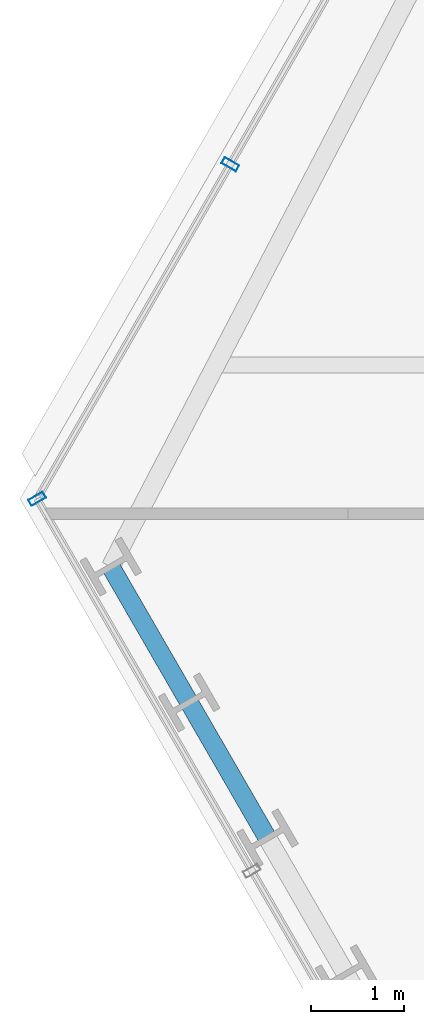
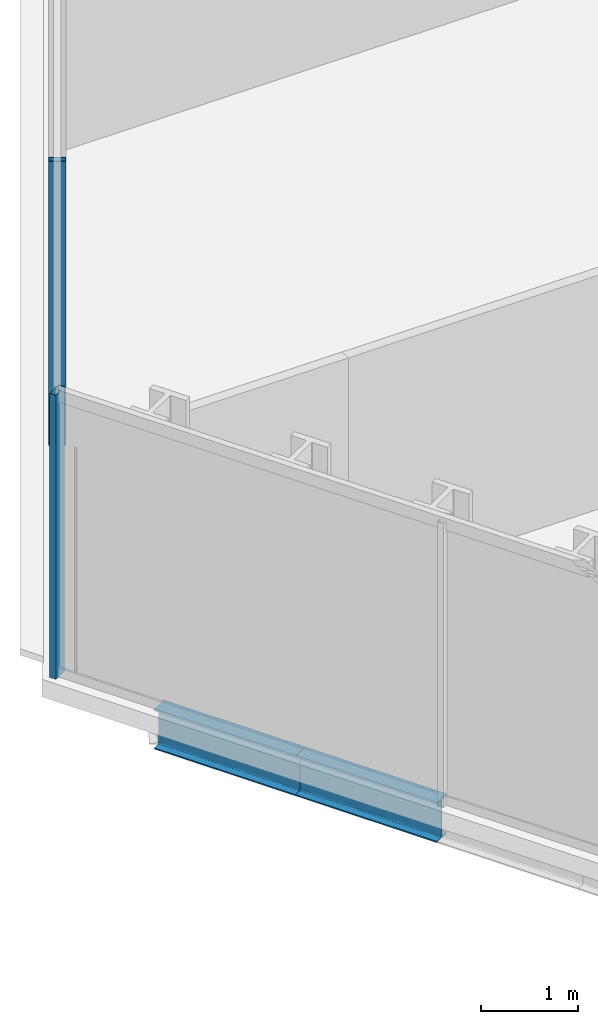
# One storey, part 5 of 32: 2 beams, 2 members, 2 elements without a shape of their own.
"""IFC4 building model written with IfcOpenShell, lengths in metres."""

import ifcopenshell
import ifcopenshell.guid

model = None  # the IFC model being written
_history = None  # IfcOwnerHistory: only IFC2X3 demands one
_inside = {}  # id of a spatial element -> (the spatial element, [elements in it])
_under = {}  # id of a project, library or spatial element -> (it, [spatial elements below it])
_declared = {}  # id of a project -> (the project, [libraries it declares])
_typed = {}  # id of a type object -> (the type object, [elements of that type])
_made_of = {}  # id of a material, layer set ... -> (it, [elements and type objects made of it])


def new_model(schema):
    """Start an empty IFC model of exactly this schema.

    Asked for "IFC4X3", IfcOpenShell would pick the latest addendum, in which some entities
    have other attributes; the version numbers below select the first issue.
    IFC2X3 requires an IfcOwnerHistory on every rooted entity: one is made here for all.
    """
    global model, _history
    if schema == "IFC4X3":
        model = ifcopenshell.file(schema_version=(4, 3, 0, 0))
    else:
        model = ifcopenshell.file(schema=schema)
    _inside.clear()
    _under.clear()
    _declared.clear()
    _typed.clear()
    _made_of.clear()
    _history = None
    if model.schema == "IFC2X3":
        org = make("IfcOrganization", Name="unknown")
        user = make(
            "IfcPersonAndOrganization",
            ThePerson=make("IfcPerson", FamilyName="unknown"),
            TheOrganization=org,
        )
        app = make(
            "IfcApplication",
            ApplicationDeveloper=org,
            Version="unknown",
            ApplicationFullName="unknown",
            ApplicationIdentifier="unknown",
        )
        _history = make(
            "IfcOwnerHistory",
            OwningUser=user,
            OwningApplication=app,
            ChangeAction="ADDED",
            CreationDate=0,
        )
    return model


def make(cls, **values):
    """One entity of the class cls with the attributes given. An attribute that is None is left unset."""
    return model.create_entity(
        cls, **{name: value for name, value in values.items() if value is not None}
    )


def rooted(cls, **values):
    """An entity with a GlobalId (a new one), such as an element, a storey or a relation."""
    return make(cls, GlobalId=ifcopenshell.guid.new(), OwnerHistory=_history, **values)


def si_unit(unit_type, name, prefix=None):
    """IfcSIUnit, for example si_unit("LENGTHUNIT", "METRE", prefix="MILLI")."""
    return make("IfcSIUnit", UnitType=unit_type, Prefix=prefix, Name=name)


def assignment(units):
    """IfcUnitAssignment: the units of a project."""
    return None if units is None else make("IfcUnitAssignment", Units=units)


def point(xyz):
    """IfcCartesianPoint."""
    return None if xyz is None else make("IfcCartesianPoint", Coordinates=xyz)


def direction(xyz):
    """IfcDirection."""
    return None if xyz is None else make("IfcDirection", DirectionRatios=xyz)


def frame(location, z_axis=None, x_axis=None):
    """IfcAxis2Placement3D, a coordinate frame: its origin and axes. An axis left out is left unset."""
    return make(
        "IfcAxis2Placement3D",
        Location=point(location),
        Axis=direction(z_axis),
        RefDirection=direction(x_axis),
    )


def frame_2d(location, x_axis=None):
    """IfcAxis2Placement2D, a coordinate frame in the plane: its origin and x axis."""
    return make(
        "IfcAxis2Placement2D", Location=point(location), RefDirection=direction(x_axis)
    )


def origin():
    """The frame at (0, 0, 0) with its axes left unset."""
    return frame((0.0, 0.0, 0.0))


def origin_2d():
    """The frame at (0, 0) in the plane with its x axis left unset."""
    return frame_2d((0.0, 0.0))


def place(relative_to, where):
    """IfcLocalPlacement: puts the frame where relative to a parent placement (None: the world)."""
    return make(
        "IfcLocalPlacement", PlacementRelTo=relative_to, RelativePlacement=where
    )


def context(
    kind, dimensions, precision=None, world=None, true_north=None, identifier=None
):
    """IfcGeometricRepresentationContext, for example the 3D "Model" context."""
    return make(
        "IfcGeometricRepresentationContext",
        ContextIdentifier=identifier,
        ContextType=kind,
        CoordinateSpaceDimension=dimensions,
        Precision=precision,
        WorldCoordinateSystem=world,
        TrueNorth=true_north,
    )


def subcontext(parent, identifier, kind, view, scale=None):
    """IfcGeometricRepresentationSubContext, for example "Body" below "Model"."""
    return make(
        "IfcGeometricRepresentationSubContext",
        ContextIdentifier=identifier,
        ContextType=kind,
        ParentContext=parent,
        TargetScale=scale,
        TargetView=view,
    )


def project(units=None, contexts=None):
    """IfcProject with its units and contexts."""
    return rooted(
        "IfcProject",
        Name="project",
        RepresentationContexts=contexts,
        UnitsInContext=assignment(units),
    )


def spatial(cls, under=None, at=None, **own):
    """A site, building, storey or space (cls), placed at a placement, below another one or the project."""
    s = rooted(cls, ObjectPlacement=at, **own)
    if under is not None:
        _under.setdefault(under.id(), (under, []))[1].append(s)
    return s


def profile(cls, at=None, kind="AREA", **sizes):
    """A parametric profile (cls). Its sizes go by their IFC names, for example OverallWidth=200.0."""
    return make(cls, ProfileType=kind, Position=at, **sizes)


def hollow_rectangle(**sizes):
    """IfcRectangleHollowProfileDef."""
    return profile("IfcRectangleHollowProfileDef", **sizes)


def i_section(**sizes):
    """IfcIShapeProfileDef."""
    return profile("IfcIShapeProfileDef", **sizes)


def extrude(swept, where, along, depth):
    """IfcExtrudedAreaSolid: the profile swept, set in the frame where, extruded along a direction by depth."""
    return make(
        "IfcExtrudedAreaSolid",
        SweptArea=swept,
        Position=where,
        ExtrudedDirection=direction(along),
        Depth=depth,
    )


def shape(context_of_items, identifier, shape_type, items):
    """IfcShapeRepresentation: the items that make up one representation, for example the "Body"."""
    return make(
        "IfcShapeRepresentation",
        ContextOfItems=context_of_items,
        RepresentationIdentifier=identifier,
        RepresentationType=shape_type,
        Items=items,
    )


def material(Name=None, Category=None):
    """IfcMaterial."""
    return make("IfcMaterial", Name=Name, Category=Category)


def layer(
    of_material, thickness, ventilated=None, Name=None, Category=None, Priority=None
):
    """IfcMaterialLayer: one layer of a wall or slab, of a material (None: an air gap)."""
    return make(
        "IfcMaterialLayer",
        Material=of_material,
        LayerThickness=thickness,
        IsVentilated=ventilated,
        Name=Name,
        Category=Category,
        Priority=Priority,
    )


def layer_set(layers, Name=None):
    """IfcMaterialLayerSet."""
    return make("IfcMaterialLayerSet", MaterialLayers=layers, LayerSetName=Name)


def material_profile(
    of_material, cross_section, Name=None, Category=None, Priority=None
):
    """IfcMaterialProfile: a cross section and its material."""
    return make(
        "IfcMaterialProfile",
        Name=Name,
        Material=of_material,
        Profile=cross_section,
        Priority=Priority,
        Category=Category,
    )


def profile_set(profiles, Name=None, composite=None):
    """IfcMaterialProfileSet."""
    return make(
        "IfcMaterialProfileSet",
        Name=Name,
        MaterialProfiles=profiles,
        CompositeProfile=composite,
    )


def made_of(thing, what):
    """Note that an element or type object is made of a material, layer set ...; save() writes the relation."""
    if what is not None:
        _made_of.setdefault(what.id(), (what, []))[1].append(thing)
    return thing


def type_object(cls, material=None, **own):
    """A type object (cls), such as IfcWallType, which elements share."""
    return made_of(rooted(cls, **own), material)


def element(
    cls,
    number,
    at=None,
    inside=None,
    cuts=None,
    type_object=None,
    material=None,
    context=None,
    identifier="Body",
    shape_type=None,
    held_by="IfcProductDefinitionShape",
    body=None,
    shapes=None,
    **own,
):
    """One element of the class cls, such as IfcWall. Its Tag is "e" and its number.

    at: its placement. inside: the storey or other place that contains it. cuts: it is an
    opening in that element (IfcRelVoidsElement). A single representation is given by context,
    identifier, shape_type and body (its items); several are given by shapes. held_by: the class
    of the entity that holds the representations. save() writes the other relations.
    """
    e = rooted(cls, Tag="e%d" % number, ObjectPlacement=at, **own)
    if body is not None:
        shapes = [shape(context, identifier, shape_type, body)]
    if shapes is not None:
        e.Representation = make(held_by, Representations=shapes)
    if inside is not None:
        _inside.setdefault(inside.id(), (inside, []))[1].append(e)
    if cuts is not None:
        rooted(
            "IfcRelVoidsElement", RelatingBuildingElement=cuts, RelatedOpeningElement=e
        )
    if type_object is not None:
        _typed.setdefault(type_object.id(), (type_object, []))[1].append(e)
    return made_of(e, material)


def aggregate(whole, parts):
    """IfcRelAggregates: a whole, such as a stair, and the parts it consists of."""
    return rooted("IfcRelAggregates", RelatingObject=whole, RelatedObjects=parts)


def save(model, path):
    """Write the relations noted so far, then the file.

    IfcRelAggregates (storeys below a building ...), IfcRelContainedInSpatialStructure (elements
    in a storey), IfcRelDefinesByType, IfcRelAssociatesMaterial and IfcRelDeclares: one each for
    every whole, place, type object, material and project.
    """
    for whole, parts in _under.values():
        aggregate(whole, parts)
    for where, things in _inside.values():
        rooted(
            "IfcRelContainedInSpatialStructure",
            RelatedElements=things,
            RelatingStructure=where,
        )
    for kind, things in _typed.values():
        rooted("IfcRelDefinesByType", RelatedObjects=things, RelatingType=kind)
    for what, things in _made_of.values():
        rooted("IfcRelAssociatesMaterial", RelatedObjects=things, RelatingMaterial=what)
    for by, libraries in _declared.values():
        rooted("IfcRelDeclares", RelatingContext=by, RelatedDefinitions=libraries)
    model.write(path)


model = new_model("IFC4")

# Units and contexts
model_context = context("Model", 3, precision=1e-05, world=origin(), true_north=direction((0.0, 1.0)))
body_context = subcontext(model_context, "Body", "Model", "MODEL_VIEW")
ifc_project = project(units=[si_unit("LENGTHUNIT", "METRE"), si_unit("AREAUNIT", "SQUARE_METRE"), si_unit("VOLUMEUNIT", "CUBIC_METRE"), si_unit("PLANEANGLEUNIT", "RADIAN"), si_unit("MASSUNIT", "GRAM", prefix="KILO")], contexts=[model_context])

# Site, building, storey
site_placement = place(None, origin())
site = spatial("IfcSite", under=ifc_project, at=site_placement, CompositionType="ELEMENT")
building_placement = place(site_placement, origin())
building = spatial("IfcBuilding", under=site, at=building_placement, Name="Ndaravel Arena Tower", CompositionType="ELEMENT")
storey_placement = place(building_placement, frame((0.0, 0.0, 93.0)))
storey = spatial("IfcBuildingStorey", under=building, at=storey_placement, Name="L21", CompositionType="ELEMENT", Elevation=93.0)

# Beams
ifc_material_1 = material(Name="Steel S355", Category="steel")
ifc_material_profile_1 = material_profile(ifc_material_1, i_section(OverallWidth=0.199951171875, OverallDepth=0.5, WebThickness=0.01025390625, FlangeThickness=0.01611328125, FilletRadius=0.02099609375, at=origin_2d()), Name="IPE 500")
ifc_profile_set_1 = profile_set([ifc_material_profile_1], Name="Steel S355")
beam_type = type_object("IfcBeamType", Name="BM-SPAN-IPE500", PredefinedType="SPANDREL", material=ifc_profile_set_1)
beam_1_placement = place(storey_placement, frame((19.25, 16.4306640625, -0.469970703125), z_axis=(0.500048373822, -0.865997473344, 0.0), x_axis=(0.865997473344, 0.500048373822, 0.0)))
element("IfcBeam", 1, at=beam_1_placement, inside=storey, type_object=beam_type, Name="L21 Perimeter Spandrel Beam SP-20", PredefinedType="SPANDREL", context=body_context, shape_type="SweptSolid", body=[
    extrude(i_section(OverallWidth=0.199951171875, OverallDepth=0.5, WebThickness=0.01025390625, FlangeThickness=0.01611328125, FilletRadius=0.02099609375, at=origin_2d()), origin(), (0.0, 0.0, 1.0), 1.685791015625),
])
beam_2_placement = place(storey_placement, frame((20.093017578125, 14.970703125, -0.469970703125), z_axis=(0.499985669323, -0.866033677446, 0.0), x_axis=(0.866033677446, 0.499985669323, 0.0)))
element("IfcBeam", 2, at=beam_2_placement, inside=storey, type_object=beam_type, Name="L21 Perimeter Spandrel Beam SP-21", PredefinedType="SPANDREL", context=body_context, shape_type="SweptSolid", body=[
    extrude(i_section(OverallWidth=0.199951171875, OverallDepth=0.5, WebThickness=0.01025390625, FlangeThickness=0.01611328125, FilletRadius=0.02099609375, at=origin_2d()), origin(), (0.0, 0.0, 1.0), 1.68603515625),
])

# Curtain wall, member
ifc_material_2 = material(Name="Aluminium", Category="aluminium")
ifc_layer_1 = layer(ifc_material_2, 0.179931640625)
ifc_layer_set_1 = layer_set([ifc_layer_1], Name="Aluminium")
curtain_wall_type_1 = type_object("IfcCurtainWallType", Name="CW-SYS-03", PredefinedType="NOTDEFINED", material=ifc_layer_set_1)
curtain_wall_1_placement = place(storey_placement, origin())
curtain_wall_1 = element("IfcCurtainWall", 3, at=curtain_wall_1_placement, inside=storey, type_object=curtain_wall_type_1, Name="L21 Faceted Crystal Curtain Wall CW-L21-E05", PredefinedType="NOTDEFINED")
ifc_material_3 = material(Name="Aluminium", Category="aluminium")
ifc_material_profile_2 = material_profile(ifc_material_3, hollow_rectangle(XDim=0.074951171875, YDim=0.179931640625, WallThickness=0.00390625, at=origin_2d()), Name="CW MULLION 75x180x4")
ifc_profile_set_2 = profile_set([ifc_material_profile_2], Name="Aluminium")
member_type = type_object("IfcMemberType", Name="MEM-CW-MUL180", PredefinedType="MULLION", material=ifc_profile_set_2)
member_1_placement = place(storey_placement, frame((20.53564453125, 20.75732421875, 0.0), z_axis=(0.0, 0.0, 1.0), x_axis=(-0.5, -0.866025403784, 0.0)))
member_1 = element("IfcMember", 4, at=member_1_placement, type_object=member_type, Name="CW-L21-E05 Mullion 07", PredefinedType="MULLION", context=body_context, shape_type="SweptSolid", body=[
    extrude(hollow_rectangle(XDim=0.074951171875, YDim=0.179931640625, WallThickness=0.00390625, at=origin_2d()), origin(), (0.0, 0.0, 1.0), 3.580078125),
])
aggregate(curtain_wall_1, [member_1])

ifc_material_4 = material(Name="Aluminium", Category="aluminium")
ifc_layer_2 = layer(ifc_material_4, 0.179931640625)
ifc_layer_set_2 = layer_set([ifc_layer_2], Name="Aluminium")
curtain_wall_type_2 = type_object("IfcCurtainWallType", Name="CW-SYS-02", PredefinedType="NOTDEFINED", material=ifc_layer_set_2)
curtain_wall_2_placement = place(storey_placement, origin())
curtain_wall_2 = element("IfcCurtainWall", 5, at=curtain_wall_2_placement, inside=storey, type_object=curtain_wall_type_2, Name="L21 Faceted Crystal Curtain Wall CW-L21-E06", PredefinedType="NOTDEFINED")
member_2_placement = place(storey_placement, frame((18.458984375, 17.16064453125, 0.0), z_axis=(0.0, 0.0, 1.0), x_axis=(0.5, -0.866025403784, 0.0)))
member_2 = element("IfcMember", 6, at=member_2_placement, type_object=member_type, Name="CW-L21-E06 Mullion 00", PredefinedType="MULLION", context=body_context, shape_type="SweptSolid", body=[
    extrude(hollow_rectangle(XDim=0.074951171875, YDim=0.179931640625, WallThickness=0.00390625, at=origin_2d()), origin(), (0.0, 0.0, 1.0), 3.580078125),
])
aggregate(curtain_wall_2, [member_2])

save(model, "model.ifc")
